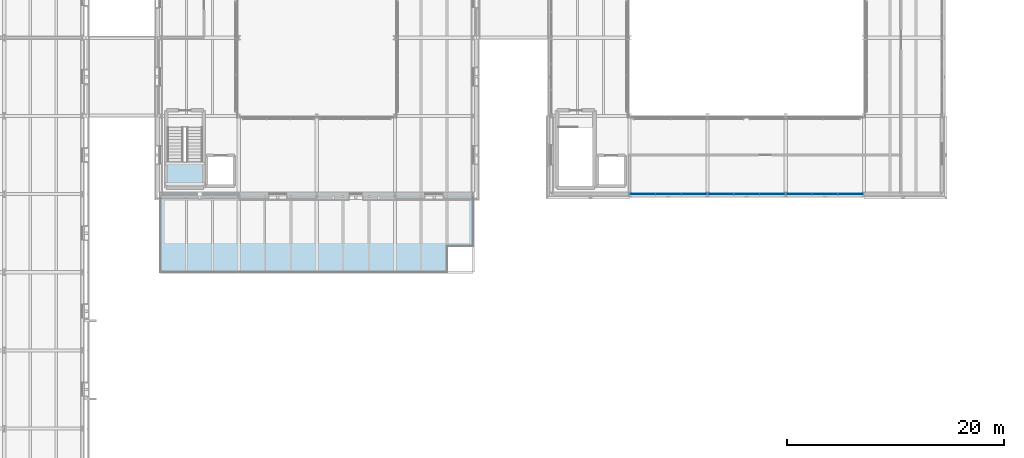
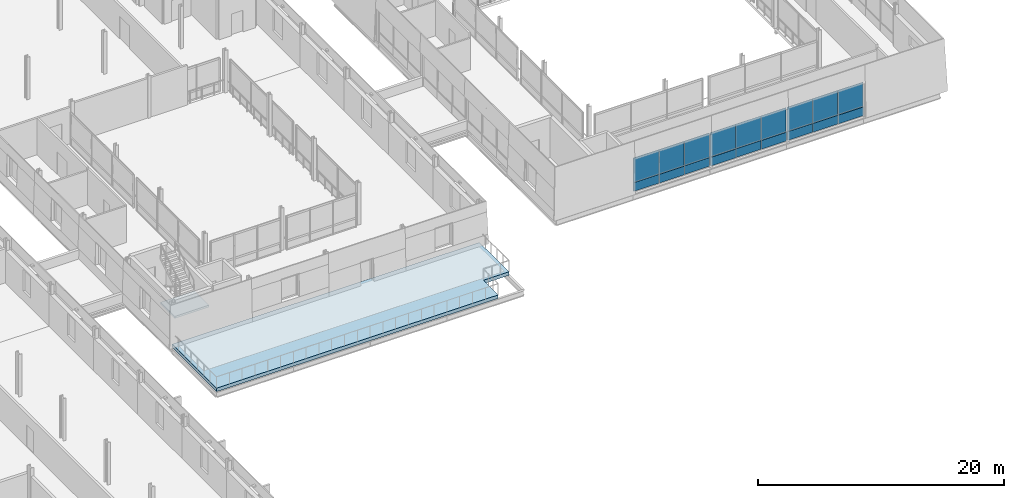
# One storey, part 40 of 91: 18 plates, 2 slabs, 4 elements without a shape of their own.
"""IFC4 building model written with IfcOpenShell, lengths in metres."""

from ifc_helpers import new_model, si_unit, direction, frame, origin, origin_2d, place, context, subcontext, project, spatial, polyline, rectangle, outline, extrude, material, layer, layer_set, type_object, element, aggregate, save


model = new_model("IFC4")

# Units and contexts
model_context = context("Model", 3, precision=1e-05, world=origin(), true_north=direction((0.0, 1.0)))
body_context = subcontext(model_context, "Body", "Model", "MODEL_VIEW")
ifc_project = project(units=[si_unit("LENGTHUNIT", "METRE"), si_unit("AREAUNIT", "SQUARE_METRE"), si_unit("VOLUMEUNIT", "CUBIC_METRE"), si_unit("PLANEANGLEUNIT", "RADIAN"), si_unit("MASSUNIT", "GRAM", prefix="KILO")], contexts=[model_context])

# Site, building, storey
site_placement = place(None, origin())
site = spatial("IfcSite", under=ifc_project, at=site_placement, CompositionType="ELEMENT")
building_placement = place(site_placement, origin())
building = spatial("IfcBuilding", under=site, at=building_placement, Name="Narikvali Park Central Library", CompositionType="ELEMENT")
storey_placement = place(building_placement, frame((0.0, 0.0, 14.39990234375)))
storey = spatial("IfcBuildingStorey", under=building, at=storey_placement, Name="L03", CompositionType="ELEMENT", Elevation=14.39990234375)

# Curtain wall, plate
ifc_material_1 = material(Name="Anodised Bronze Aluminium", Category="aluminium")
ifc_layer_1 = layer(ifc_material_1, 0.219970703125, Name="Anodised Bronze Aluminium")
ifc_layer_set_1 = layer_set([ifc_layer_1], Name="Anodised Bronze Aluminium")
curtain_wall_type = type_object("IfcCurtainWallType", Name="Rotunda Drum Clerestory Curtain Wall", PredefinedType="NOTDEFINED", material=ifc_layer_set_1)
curtain_wall_1_placement = place(storey_placement, origin())
curtain_wall_1 = element("IfcCurtainWall", 1, at=curtain_wall_1_placement, inside=storey, type_object=curtain_wall_type, Name="Rotunda Drum Clerestory Curtain Wall CW-V1-L03-S-02", PredefinedType="NOTDEFINED")
ifc_material_2 = material(Name="Anodised Bronze Acoustic Spandrel Cassette")
ifc_layer_2 = layer(ifc_material_2, 0.1650390625, Name="Anodised Bronze Acoustic Spandrel Cassette")
ifc_layer_set_2 = layer_set([ifc_layer_2], Name="Anodised Bronze Acoustic Spandrel Cassette")
plate_type_1 = type_object("IfcPlateType", Name="Curtain Wall Acoustic Plenum Louvre Cassette 165", PredefinedType="CURTAIN_PANEL", material=ifc_layer_set_2)
plate_1_placement = place(storey_placement, frame((75.60009765625, 57.60009765625, 0.03515625), z_axis=(0.0, 0.0, 1.0), x_axis=(1.0, 0.0, 0.0)))
plate_1 = element("IfcPlate", 2, at=plate_1_placement, type_object=plate_type_1, Name="CW-V1-L03-S-02 Panel 01-0", PredefinedType="CURTAIN_PANEL", context=body_context, shape_type="SweptSolid", body=[
    extrude(rectangle(XDim=2.36474609375, YDim=0.1650390625, at=origin_2d()), origin(), (0.0, 0.0, 1.0), 0.860107421875),
])

curtain_wall_2_placement = place(storey_placement, origin())
curtain_wall_2 = element("IfcCurtainWall", 3, at=curtain_wall_2_placement, inside=storey, type_object=curtain_wall_type, Name="Rotunda Drum Clerestory Curtain Wall CW-V1-L03-S-03", PredefinedType="NOTDEFINED")
plate_2_placement = place(storey_placement, frame((80.42529296875, 57.60009765625, 0.03515625), z_axis=(0.0, 0.0, 1.0), x_axis=(1.0, 0.0, 0.0)))
plate_2 = element("IfcPlate", 4, at=plate_2_placement, type_object=plate_type_1, Name="CW-V1-L03-S-03 Panel 00-0", PredefinedType="CURTAIN_PANEL", context=body_context, shape_type="SweptSolid", body=[
    extrude(rectangle(XDim=2.36474609375, YDim=0.1650390625, at=origin_2d()), origin(), (0.0, 0.0, 1.0), 0.860107421875),
])

curtain_wall_3_placement = place(storey_placement, origin())
curtain_wall_3 = element("IfcCurtainWall", 5, at=curtain_wall_3_placement, inside=storey, type_object=curtain_wall_type, Name="Rotunda Drum Clerestory Curtain Wall CW-V1-L03-S-04", PredefinedType="NOTDEFINED")
plate_3_placement = place(storey_placement, frame((92.374755859375, 57.60009765625, 0.03515625), z_axis=(0.0, 0.0, 1.0), x_axis=(1.0, 0.0, 0.0)))
plate_3 = element("IfcPlate", 6, at=plate_3_placement, type_object=plate_type_1, Name="CW-V1-L03-S-04 Panel 02-0", PredefinedType="CURTAIN_PANEL", context=body_context, shape_type="SweptSolid", body=[
    extrude(rectangle(XDim=2.36474609375, YDim=0.1650390625, at=origin_2d()), origin(), (0.0, 0.0, 1.0), 0.860107421875),
])

# Plate
ifc_material_3 = material(Name="Heavy Acoustic Laminated Clerestory Glazing", Category="glass")
ifc_layer_3 = layer(ifc_material_3, 0.06396484375, Name="Heavy Acoustic Laminated Clerestory Glazing")
ifc_layer_set_3 = layer_set([ifc_layer_3], Name="Heavy Acoustic Laminated Clerestory Glazing")
plate_type_2 = type_object("IfcPlateType", Name="Curtain Wall Clerestory Laminated Acoustic Glass 64", PredefinedType="CURTAIN_PANEL", material=ifc_layer_set_3)
plate_4_placement = place(storey_placement, frame((73.225341796875, 57.60009765625, 0.905029296875), z_axis=(0.0, 0.0, 1.0), x_axis=(1.0, 0.0, 0.0)))
plate_4 = element("IfcPlate", 7, at=plate_4_placement, type_object=plate_type_2, Name="CW-V1-L03-S-02 Panel 00-1", PredefinedType="CURTAIN_PANEL", context=body_context, shape_type="SweptSolid", body=[
    extrude(rectangle(XDim=2.36474609375, YDim=0.06396484375, at=origin_2d()), origin(), (0.0, 0.0, 1.0), 2.39990234375),
])

plate_5_placement = place(storey_placement, frame((75.60009765625, 57.60009765625, 0.905029296875), z_axis=(0.0, 0.0, 1.0), x_axis=(1.0, 0.0, 0.0)))
plate_5 = element("IfcPlate", 8, at=plate_5_placement, type_object=plate_type_2, Name="CW-V1-L03-S-02 Panel 01-1", PredefinedType="CURTAIN_PANEL", context=body_context, shape_type="SweptSolid", body=[
    extrude(rectangle(XDim=2.36474609375, YDim=0.06396484375, at=origin_2d()), origin(), (0.0, 0.0, 1.0), 2.39990234375),
])

plate_6_placement = place(storey_placement, frame((77.974609375, 57.60009765625, 0.905029296875), z_axis=(0.0, 0.0, 1.0), x_axis=(1.0, 0.0, 0.0)))
plate_6 = element("IfcPlate", 9, at=plate_6_placement, type_object=plate_type_2, Name="CW-V1-L03-S-02 Panel 02-1", PredefinedType="CURTAIN_PANEL", context=body_context, shape_type="SweptSolid", body=[
    extrude(rectangle(XDim=2.36474609375, YDim=0.06396484375, at=origin_2d()), origin(), (0.0, 0.0, 1.0), 2.39990234375),
])

ifc_material_4 = material(Name="Double Low-E Tempered Vision Glazing", Category="glass")
ifc_layer_4 = layer(ifc_material_4, 0.035888671875, Name="Double Low-E Tempered Vision Glazing")
ifc_layer_set_4 = layer_set([ifc_layer_4], Name="Double Low-E Tempered Vision Glazing")
plate_type_3 = type_object("IfcPlateType", Name="Curtain Wall Double Low-E Vision Glazing 36", PredefinedType="CURTAIN_PANEL", material=ifc_layer_set_4)
plate_7_placement = place(storey_placement, frame((80.42529296875, 57.60009765625, 0.905029296875), z_axis=(0.0, 0.0, 1.0), x_axis=(1.0, 0.0, 0.0)))
plate_7 = element("IfcPlate", 10, at=plate_7_placement, type_object=plate_type_3, Name="CW-V1-L03-S-03 Panel 00-1", PredefinedType="CURTAIN_PANEL", context=body_context, shape_type="SweptSolid", body=[
    extrude(rectangle(XDim=2.36474609375, YDim=0.035888671875, at=origin_2d()), origin(), (0.0, 0.0, 1.0), 2.39990234375),
])

plate_8_placement = place(storey_placement, frame((82.800048828125, 57.60009765625, 0.905029296875), z_axis=(0.0, 0.0, 1.0), x_axis=(1.0, 0.0, 0.0)))
plate_8 = element("IfcPlate", 11, at=plate_8_placement, type_object=plate_type_3, Name="CW-V1-L03-S-03 Panel 01-1", PredefinedType="CURTAIN_PANEL", context=body_context, shape_type="SweptSolid", body=[
    extrude(rectangle(XDim=2.36474609375, YDim=0.035888671875, at=origin_2d()), origin(), (0.0, 0.0, 1.0), 2.39990234375),
])

plate_9_placement = place(storey_placement, frame((85.1748046875, 57.60009765625, 0.905029296875), z_axis=(0.0, 0.0, 1.0), x_axis=(1.0, 0.0, 0.0)))
plate_9 = element("IfcPlate", 12, at=plate_9_placement, type_object=plate_type_3, Name="CW-V1-L03-S-03 Panel 02-1", PredefinedType="CURTAIN_PANEL", context=body_context, shape_type="SweptSolid", body=[
    extrude(rectangle(XDim=2.36474609375, YDim=0.035888671875, at=origin_2d()), origin(), (0.0, 0.0, 1.0), 2.39990234375),
])

ifc_material_5 = material(Name="Anodised Bronze Insulated Spandrel Cassette")
ifc_layer_5 = layer(ifc_material_5, 0.110107421875, Name="Anodised Bronze Insulated Spandrel Cassette")
ifc_layer_set_5 = layer_set([ifc_layer_5], Name="Anodised Bronze Insulated Spandrel Cassette")
plate_type_4 = type_object("IfcPlateType", Name="Curtain Wall Insulated Bronze Spandrel Cassette 110", PredefinedType="CURTAIN_PANEL", material=ifc_layer_set_5)
plate_10_placement = place(storey_placement, frame((77.974609375, 57.60009765625, 0.03515625), z_axis=(0.0, 0.0, 1.0), x_axis=(1.0, 0.0, 0.0)))
plate_10 = element("IfcPlate", 13, at=plate_10_placement, type_object=plate_type_4, Name="CW-V1-L03-S-02 Panel 02-0", PredefinedType="CURTAIN_PANEL", context=body_context, shape_type="SweptSolid", body=[
    extrude(rectangle(XDim=2.36474609375, YDim=0.110107421875, at=origin_2d()), origin(), (0.0, 0.0, 1.0), 0.860107421875),
])

plate_11_placement = place(storey_placement, frame((82.800048828125, 57.60009765625, 0.03515625), z_axis=(0.0, 0.0, 1.0), x_axis=(1.0, 0.0, 0.0)))
plate_11 = element("IfcPlate", 14, at=plate_11_placement, type_object=plate_type_4, Name="CW-V1-L03-S-03 Panel 01-0", PredefinedType="CURTAIN_PANEL", context=body_context, shape_type="SweptSolid", body=[
    extrude(rectangle(XDim=2.36474609375, YDim=0.110107421875, at=origin_2d()), origin(), (0.0, 0.0, 1.0), 0.860107421875),
])

plate_12_placement = place(storey_placement, frame((87.625244140625, 57.60009765625, 0.03515625), z_axis=(0.0, 0.0, 1.0), x_axis=(1.0, 0.0, 0.0)))
plate_12 = element("IfcPlate", 15, at=plate_12_placement, type_object=plate_type_4, Name="CW-V1-L03-S-04 Panel 00-0", PredefinedType="CURTAIN_PANEL", context=body_context, shape_type="SweptSolid", body=[
    extrude(rectangle(XDim=2.36474609375, YDim=0.110107421875, at=origin_2d()), origin(), (0.0, 0.0, 1.0), 0.860107421875),
])

ifc_material_6 = material(Name="Mineral-Wool Shadow-Box Spandrel Assembly")
ifc_layer_6 = layer(ifc_material_6, 0.139892578125, Name="Mineral-Wool Shadow-Box Spandrel Assembly")
ifc_layer_set_6 = layer_set([ifc_layer_6], Name="Mineral-Wool Shadow-Box Spandrel Assembly")
plate_type_5 = type_object("IfcPlateType", Name="Curtain Wall Shadow-Box Mineral Spandrel Panel 140", PredefinedType="CURTAIN_PANEL", material=ifc_layer_set_6)
plate_13_placement = place(storey_placement, frame((73.225341796875, 57.60009765625, 0.03515625), z_axis=(0.0, 0.0, 1.0), x_axis=(1.0, 0.0, 0.0)))
plate_13 = element("IfcPlate", 16, at=plate_13_placement, type_object=plate_type_5, Name="CW-V1-L03-S-02 Panel 00-0", PredefinedType="CURTAIN_PANEL", context=body_context, shape_type="SweptSolid", body=[
    extrude(rectangle(XDim=2.36474609375, YDim=0.139892578125, at=origin_2d()), origin(), (0.0, 0.0, 1.0), 0.860107421875),
])

aggregate(curtain_wall_1, [plate_13, plate_4, plate_1, plate_5, plate_10, plate_6])

plate_14_placement = place(storey_placement, frame((85.1748046875, 57.60009765625, 0.03515625), z_axis=(0.0, 0.0, 1.0), x_axis=(1.0, 0.0, 0.0)))
plate_14 = element("IfcPlate", 17, at=plate_14_placement, type_object=plate_type_5, Name="CW-V1-L03-S-03 Panel 02-0", PredefinedType="CURTAIN_PANEL", context=body_context, shape_type="SweptSolid", body=[
    extrude(rectangle(XDim=2.36474609375, YDim=0.139892578125, at=origin_2d()), origin(), (0.0, 0.0, 1.0), 0.860107421875),
])

aggregate(curtain_wall_2, [plate_2, plate_7, plate_11, plate_8, plate_14, plate_9])

plate_15_placement = place(storey_placement, frame((90.0, 57.60009765625, 0.03515625), z_axis=(0.0, 0.0, 1.0), x_axis=(1.0, 0.0, 0.0)))
plate_15 = element("IfcPlate", 18, at=plate_15_placement, type_object=plate_type_5, Name="CW-V1-L03-S-04 Panel 01-0", PredefinedType="CURTAIN_PANEL", context=body_context, shape_type="SweptSolid", body=[
    extrude(rectangle(XDim=2.36474609375, YDim=0.139892578125, at=origin_2d()), origin(), (0.0, 0.0, 1.0), 0.860107421875),
])

ifc_material_7 = material(Name="Triple Low-E Acoustic Laminated Glazing", Category="glass")
ifc_layer_7 = layer(ifc_material_7, 0.048095703125, Name="Triple Low-E Acoustic Laminated Glazing")
ifc_layer_set_7 = layer_set([ifc_layer_7], Name="Triple Low-E Acoustic Laminated Glazing")
plate_type_6 = type_object("IfcPlateType", Name="Curtain Wall Triple Solar-Acoustic Glazing 48", PredefinedType="CURTAIN_PANEL", material=ifc_layer_set_7)
plate_16_placement = place(storey_placement, frame((87.625244140625, 57.60009765625, 0.905029296875), z_axis=(0.0, 0.0, 1.0), x_axis=(1.0, 0.0, 0.0)))
plate_16 = element("IfcPlate", 19, at=plate_16_placement, type_object=plate_type_6, Name="CW-V1-L03-S-04 Panel 00-1", PredefinedType="CURTAIN_PANEL", context=body_context, shape_type="SweptSolid", body=[
    extrude(rectangle(XDim=2.36474609375, YDim=0.048095703125, at=origin_2d()), origin(), (0.0, 0.0, 1.0), 2.39990234375),
])

plate_17_placement = place(storey_placement, frame((90.0, 57.60009765625, 0.905029296875), z_axis=(0.0, 0.0, 1.0), x_axis=(1.0, 0.0, 0.0)))
plate_17 = element("IfcPlate", 20, at=plate_17_placement, type_object=plate_type_6, Name="CW-V1-L03-S-04 Panel 01-1", PredefinedType="CURTAIN_PANEL", context=body_context, shape_type="SweptSolid", body=[
    extrude(rectangle(XDim=2.36474609375, YDim=0.048095703125, at=origin_2d()), origin(), (0.0, 0.0, 1.0), 2.39990234375),
])

plate_18_placement = place(storey_placement, frame((92.374755859375, 57.60009765625, 0.905029296875), z_axis=(0.0, 0.0, 1.0), x_axis=(1.0, 0.0, 0.0)))
plate_18 = element("IfcPlate", 21, at=plate_18_placement, type_object=plate_type_6, Name="CW-V1-L03-S-04 Panel 02-1", PredefinedType="CURTAIN_PANEL", context=body_context, shape_type="SweptSolid", body=[
    extrude(rectangle(XDim=2.36474609375, YDim=0.048095703125, at=origin_2d()), origin(), (0.0, 0.0, 1.0), 2.39990234375),
])

aggregate(curtain_wall_3, [plate_12, plate_16, plate_15, plate_17, plate_3, plate_18])

# Slab
ifc_material_8 = material(Name="Concrete C35/45", Category="concrete")
ifc_layer_8 = layer(ifc_material_8, 0.340087890625, Name="Concrete C35/45")
ifc_layer_set_8 = layer_set([ifc_layer_8], Name="Concrete C35/45")
slab_type_1 = type_object("IfcSlabType", Name="Planted Roof Garden Structural Deck 340", PredefinedType="ROOF", material=ifc_layer_set_8)
slab_1_placement = place(storey_placement, frame((0.0, 0.0, -0.33984375)))
element("IfcSlab", 22, at=slab_1_placement, inside=storey, type_object=slab_type_1, Name="V4 L03 Planted Roof Garden Deck", PredefinedType="ROOF", context=body_context, shape_type="SweptSolid", body=[
    extrude(outline(polyline([(28.800048828125, 50.39990234375), (55.199951171875, 50.39990234375), (55.199951171875, 52.800048828125), (57.60009765625, 52.800048828125), (57.60009765625, 57.60009765625), (28.800048828125, 57.60009765625), (28.800048828125, 50.39990234375)])), origin(), (0.0, 0.0, 1.0), 0.33984375),
])

# Stair, slab
stair_type = type_object("IfcStairType", Name="Core Enclosed Two-Flight Exit Stair", PredefinedType="HALF_TURN_STAIR", material=ifc_material_8)
stair_placement = place(storey_placement, origin())
stair = element("IfcStair", 23, at=stair_placement, inside=storey, type_object=stair_type, Name="L03 Exit Stair ST-07", PredefinedType="HALF_TURN_STAIR")
ifc_layer_9 = layer(ifc_material_8, 0.199951171875, Name="Concrete C35/45")
ifc_layer_set_9 = layer_set([ifc_layer_9], Name="Concrete C35/45")
slab_type_2 = type_object("IfcSlabType", Name="Stair Half-Landing Concrete Slab 200", PredefinedType="LANDING", material=ifc_layer_set_9)
slab_2_placement = place(storey_placement, frame((0.0, 0.0, 1.900146484375)))
slab_2 = element("IfcSlab", 24, at=slab_2_placement, type_object=slab_type_2, Name="ST-07 landing 1", PredefinedType="LANDING", context=body_context, shape_type="SweptSolid", body=[
    extrude(outline(polyline([(29.449951171875, 60.614990234375), (29.449951171875, 58.300048828125), (32.64990234375, 58.300048828125), (32.64990234375, 60.614990234375), (29.449951171875, 60.614990234375)])), origin(), (0.0, 0.0, 1.0), 0.199951171875),
])
aggregate(stair, [slab_2])

save(model, "model.ifc")
